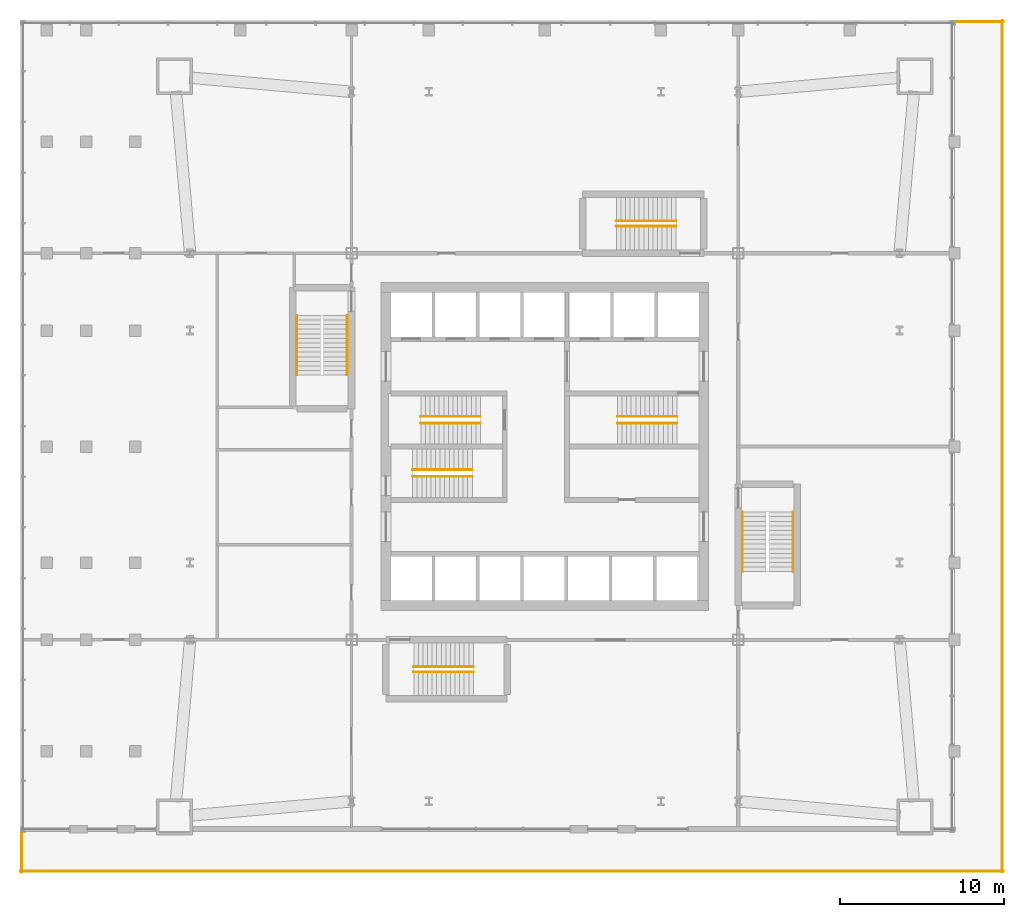
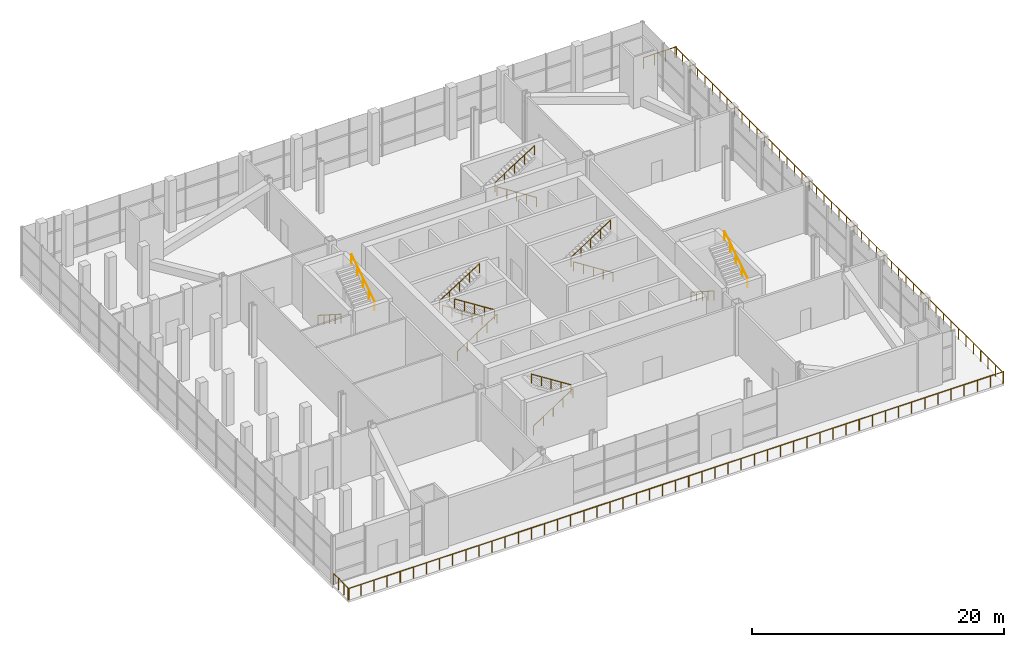
# One storey, part 12 of 12: 18 railings.
"""IFC4 building model written with IfcOpenShell, lengths in metres."""

import ifcopenshell
import ifcopenshell.guid

model = None  # the IFC model being written
_history = None  # IfcOwnerHistory: only IFC2X3 demands one
_inside = {}  # id of a spatial element -> (the spatial element, [elements in it])
_under = {}  # id of a project, library or spatial element -> (it, [spatial elements below it])
_declared = {}  # id of a project -> (the project, [libraries it declares])
_typed = {}  # id of a type object -> (the type object, [elements of that type])
_made_of = {}  # id of a material, layer set ... -> (it, [elements and type objects made of it])


def new_model(schema):
    """Start an empty IFC model of exactly this schema.

    Asked for "IFC4X3", IfcOpenShell would pick the latest addendum, in which some entities
    have other attributes; the version numbers below select the first issue.
    IFC2X3 requires an IfcOwnerHistory on every rooted entity: one is made here for all.
    """
    global model, _history
    if schema == "IFC4X3":
        model = ifcopenshell.file(schema_version=(4, 3, 0, 0))
    else:
        model = ifcopenshell.file(schema=schema)
    _inside.clear()
    _under.clear()
    _declared.clear()
    _typed.clear()
    _made_of.clear()
    _history = None
    if model.schema == "IFC2X3":
        org = make("IfcOrganization", Name="unknown")
        user = make(
            "IfcPersonAndOrganization",
            ThePerson=make("IfcPerson", FamilyName="unknown"),
            TheOrganization=org,
        )
        app = make(
            "IfcApplication",
            ApplicationDeveloper=org,
            Version="unknown",
            ApplicationFullName="unknown",
            ApplicationIdentifier="unknown",
        )
        _history = make(
            "IfcOwnerHistory",
            OwningUser=user,
            OwningApplication=app,
            ChangeAction="ADDED",
            CreationDate=0,
        )
    return model


def make(cls, **values):
    """One entity of the class cls with the attributes given. An attribute that is None is left unset."""
    return model.create_entity(
        cls, **{name: value for name, value in values.items() if value is not None}
    )


def rooted(cls, **values):
    """An entity with a GlobalId (a new one), such as an element, a storey or a relation."""
    return make(cls, GlobalId=ifcopenshell.guid.new(), OwnerHistory=_history, **values)


def si_unit(unit_type, name, prefix=None):
    """IfcSIUnit, for example si_unit("LENGTHUNIT", "METRE", prefix="MILLI")."""
    return make("IfcSIUnit", UnitType=unit_type, Prefix=prefix, Name=name)


def assignment(units):
    """IfcUnitAssignment: the units of a project."""
    return None if units is None else make("IfcUnitAssignment", Units=units)


def point(xyz):
    """IfcCartesianPoint."""
    return None if xyz is None else make("IfcCartesianPoint", Coordinates=xyz)


def direction(xyz):
    """IfcDirection."""
    return None if xyz is None else make("IfcDirection", DirectionRatios=xyz)


def frame(location, z_axis=None, x_axis=None):
    """IfcAxis2Placement3D, a coordinate frame: its origin and axes. An axis left out is left unset."""
    return make(
        "IfcAxis2Placement3D",
        Location=point(location),
        Axis=direction(z_axis),
        RefDirection=direction(x_axis),
    )


def frame_2d(location, x_axis=None):
    """IfcAxis2Placement2D, a coordinate frame in the plane: its origin and x axis."""
    return make(
        "IfcAxis2Placement2D", Location=point(location), RefDirection=direction(x_axis)
    )


def origin():
    """The frame at (0, 0, 0) with its axes left unset."""
    return frame((0.0, 0.0, 0.0))


def origin_2d():
    """The frame at (0, 0) in the plane with its x axis left unset."""
    return frame_2d((0.0, 0.0))


def place(relative_to, where):
    """IfcLocalPlacement: puts the frame where relative to a parent placement (None: the world)."""
    return make(
        "IfcLocalPlacement", PlacementRelTo=relative_to, RelativePlacement=where
    )


def context(
    kind, dimensions, precision=None, world=None, true_north=None, identifier=None
):
    """IfcGeometricRepresentationContext, for example the 3D "Model" context."""
    return make(
        "IfcGeometricRepresentationContext",
        ContextIdentifier=identifier,
        ContextType=kind,
        CoordinateSpaceDimension=dimensions,
        Precision=precision,
        WorldCoordinateSystem=world,
        TrueNorth=true_north,
    )


def subcontext(parent, identifier, kind, view, scale=None):
    """IfcGeometricRepresentationSubContext, for example "Body" below "Model"."""
    return make(
        "IfcGeometricRepresentationSubContext",
        ContextIdentifier=identifier,
        ContextType=kind,
        ParentContext=parent,
        TargetScale=scale,
        TargetView=view,
    )


def project(units=None, contexts=None):
    """IfcProject with its units and contexts."""
    return rooted(
        "IfcProject",
        Name="project",
        RepresentationContexts=contexts,
        UnitsInContext=assignment(units),
    )


def spatial(cls, under=None, at=None, **own):
    """A site, building, storey or space (cls), placed at a placement, below another one or the project."""
    s = rooted(cls, ObjectPlacement=at, **own)
    if under is not None:
        _under.setdefault(under.id(), (under, []))[1].append(s)
    return s


def profile(cls, at=None, kind="AREA", **sizes):
    """A parametric profile (cls). Its sizes go by their IFC names, for example OverallWidth=200.0."""
    return make(cls, ProfileType=kind, Position=at, **sizes)


def circle(**sizes):
    """IfcCircleProfileDef."""
    return profile("IfcCircleProfileDef", **sizes)


def extrude(swept, where, along, depth):
    """IfcExtrudedAreaSolid: the profile swept, set in the frame where, extruded along a direction by depth."""
    return make(
        "IfcExtrudedAreaSolid",
        SweptArea=swept,
        Position=where,
        ExtrudedDirection=direction(along),
        Depth=depth,
    )


def shape(context_of_items, identifier, shape_type, items):
    """IfcShapeRepresentation: the items that make up one representation, for example the "Body"."""
    return make(
        "IfcShapeRepresentation",
        ContextOfItems=context_of_items,
        RepresentationIdentifier=identifier,
        RepresentationType=shape_type,
        Items=items,
    )


def material(Name=None, Category=None):
    """IfcMaterial."""
    return make("IfcMaterial", Name=Name, Category=Category)


def made_of(thing, what):
    """Note that an element or type object is made of a material, layer set ...; save() writes the relation."""
    if what is not None:
        _made_of.setdefault(what.id(), (what, []))[1].append(thing)
    return thing


def type_object(cls, material=None, **own):
    """A type object (cls), such as IfcWallType, which elements share."""
    return made_of(rooted(cls, **own), material)


def element(
    cls,
    number,
    at=None,
    inside=None,
    cuts=None,
    type_object=None,
    material=None,
    context=None,
    identifier="Body",
    shape_type=None,
    held_by="IfcProductDefinitionShape",
    body=None,
    shapes=None,
    **own,
):
    """One element of the class cls, such as IfcWall. Its Tag is "e" and its number.

    at: its placement. inside: the storey or other place that contains it. cuts: it is an
    opening in that element (IfcRelVoidsElement). A single representation is given by context,
    identifier, shape_type and body (its items); several are given by shapes. held_by: the class
    of the entity that holds the representations. save() writes the other relations.
    """
    e = rooted(cls, Tag="e%d" % number, ObjectPlacement=at, **own)
    if body is not None:
        shapes = [shape(context, identifier, shape_type, body)]
    if shapes is not None:
        e.Representation = make(held_by, Representations=shapes)
    if inside is not None:
        _inside.setdefault(inside.id(), (inside, []))[1].append(e)
    if cuts is not None:
        rooted(
            "IfcRelVoidsElement", RelatingBuildingElement=cuts, RelatedOpeningElement=e
        )
    if type_object is not None:
        _typed.setdefault(type_object.id(), (type_object, []))[1].append(e)
    return made_of(e, material)


def aggregate(whole, parts):
    """IfcRelAggregates: a whole, such as a stair, and the parts it consists of."""
    return rooted("IfcRelAggregates", RelatingObject=whole, RelatedObjects=parts)


def save(model, path):
    """Write the relations noted so far, then the file.

    IfcRelAggregates (storeys below a building ...), IfcRelContainedInSpatialStructure (elements
    in a storey), IfcRelDefinesByType, IfcRelAssociatesMaterial and IfcRelDeclares: one each for
    every whole, place, type object, material and project.
    """
    for whole, parts in _under.values():
        aggregate(whole, parts)
    for where, things in _inside.values():
        rooted(
            "IfcRelContainedInSpatialStructure",
            RelatedElements=things,
            RelatingStructure=where,
        )
    for kind, things in _typed.values():
        rooted("IfcRelDefinesByType", RelatedObjects=things, RelatingType=kind)
    for what, things in _made_of.values():
        rooted("IfcRelAssociatesMaterial", RelatedObjects=things, RelatingMaterial=what)
    for by, libraries in _declared.values():
        rooted("IfcRelDeclares", RelatingContext=by, RelatedDefinitions=libraries)
    model.write(path)


model = new_model("IFC4")

# Units and contexts
model_context = context("Model", 3, precision=1e-05, world=origin(), true_north=direction((0.0, 1.0)))
body_context = subcontext(model_context, "Body", "Model", "MODEL_VIEW")
ifc_project = project(units=[si_unit("LENGTHUNIT", "METRE"), si_unit("AREAUNIT", "SQUARE_METRE"), si_unit("VOLUMEUNIT", "CUBIC_METRE"), si_unit("PLANEANGLEUNIT", "RADIAN"), si_unit("MASSUNIT", "GRAM", prefix="KILO")], contexts=[model_context])

# Site, building, storey
site_placement = place(None, origin())
site = spatial("IfcSite", under=ifc_project, at=site_placement, CompositionType="ELEMENT")
building_placement = place(site_placement, origin())
building = spatial("IfcBuilding", under=site, at=building_placement, Name="Turquesa Mirador Hotel Tower", CompositionType="ELEMENT")
storey_placement = place(building_placement, frame((0.0, 0.0, 11.0)))
storey = spatial("IfcBuildingStorey", under=building, at=storey_placement, Name="L02", CompositionType="ELEMENT", Elevation=11.0)

# Railings
ifc_material_1 = material(Name="Bronze-finish steel and laminated glass", Category="steel")
railing_type_1 = type_object("IfcRailingType", Name="GUARD 1100 BRONZE AND GLASS", PredefinedType="GUARDRAIL", material=ifc_material_1)
railing_1_placement = place(storey_placement, frame((82.919921875, 71.0, 0.0)))
element("IfcRailing", 1, at=railing_1_placement, inside=storey, type_object=railing_type_1, Name="Terrace guard L02", PredefinedType="GUARDRAIL", context=body_context, shape_type="SweptSolid", body=[
    extrude(circle(Radius=0.02392578125, at=origin_2d()), frame((0.0, 0.0, 1.076171875), z_axis=(0.0, -1.0, 0.0), x_axis=(1.0, 0.0, 0.0)), (0.0, 0.0, 1.0), 52.0),
    extrude(circle(Radius=0.02099609375, at=origin_2d()), origin(), (0.0, 0.0, 1.0), 1.052001953125),
    extrude(circle(Radius=0.02099609375, at=origin_2d()), frame((0.0, -1.181884765625, 0.0)), (0.0, 0.0, 1.0), 1.052001953125),
    extrude(circle(Radius=0.02099609375, at=origin_2d()), frame((0.0, -2.363525390625, 0.0)), (0.0, 0.0, 1.0), 1.052001953125),
    extrude(circle(Radius=0.02099609375, at=origin_2d()), frame((0.0, -3.54541015625, 0.0)), (0.0, 0.0, 1.0), 1.052001953125),
    extrude(circle(Radius=0.02099609375, at=origin_2d()), frame((0.0, -4.727294921875, 0.0)), (0.0, 0.0, 1.0), 1.052001953125),
    extrude(circle(Radius=0.02099609375, at=origin_2d()), frame((0.0, -5.9091796875, 0.0)), (0.0, 0.0, 1.0), 1.052001953125),
    extrude(circle(Radius=0.02099609375, at=origin_2d()), frame((0.0, -7.0908203125, 0.0)), (0.0, 0.0, 1.0), 1.052001953125),
    extrude(circle(Radius=0.02099609375, at=origin_2d()), frame((0.0, -8.272705078125, 0.0)), (0.0, 0.0, 1.0), 1.052001953125),
    extrude(circle(Radius=0.02099609375, at=origin_2d()), frame((0.0, -9.45458984375, 0.0)), (0.0, 0.0, 1.0), 1.052001953125),
    extrude(circle(Radius=0.02099609375, at=origin_2d()), frame((0.0, -10.636474609375, 0.0)), (0.0, 0.0, 1.0), 1.052001953125),
    extrude(circle(Radius=0.02099609375, at=origin_2d()), frame((0.0, -11.818115234375, 0.0)), (0.0, 0.0, 1.0), 1.052001953125),
    extrude(circle(Radius=0.02099609375, at=origin_2d()), frame((0.0, -13.0, 0.0)), (0.0, 0.0, 1.0), 1.052001953125),
    extrude(circle(Radius=0.02099609375, at=origin_2d()), frame((0.0, -14.181884765625, 0.0)), (0.0, 0.0, 1.0), 1.052001953125),
    extrude(circle(Radius=0.02099609375, at=origin_2d()), frame((0.0, -15.363525390625, 0.0)), (0.0, 0.0, 1.0), 1.052001953125),
    extrude(circle(Radius=0.02099609375, at=origin_2d()), frame((0.0, -16.54541015625, 0.0)), (0.0, 0.0, 1.0), 1.052001953125),
    extrude(circle(Radius=0.02099609375, at=origin_2d()), frame((0.0, -17.727294921875, 0.0)), (0.0, 0.0, 1.0), 1.052001953125),
    extrude(circle(Radius=0.02099609375, at=origin_2d()), frame((0.0, -18.9091796875, 0.0)), (0.0, 0.0, 1.0), 1.052001953125),
    extrude(circle(Radius=0.02099609375, at=origin_2d()), frame((0.0, -20.0908203125, 0.0)), (0.0, 0.0, 1.0), 1.052001953125),
    extrude(circle(Radius=0.02099609375, at=origin_2d()), frame((0.0, -21.272705078125, 0.0)), (0.0, 0.0, 1.0), 1.052001953125),
    extrude(circle(Radius=0.02099609375, at=origin_2d()), frame((0.0, -22.45458984375, 0.0)), (0.0, 0.0, 1.0), 1.052001953125),
    extrude(circle(Radius=0.02099609375, at=origin_2d()), frame((0.0, -23.636474609375, 0.0)), (0.0, 0.0, 1.0), 1.052001953125),
    extrude(circle(Radius=0.02099609375, at=origin_2d()), frame((0.0, -24.818115234375, 0.0)), (0.0, 0.0, 1.0), 1.052001953125),
    extrude(circle(Radius=0.02099609375, at=origin_2d()), frame((0.0, -26.0, 0.0)), (0.0, 0.0, 1.0), 1.052001953125),
    extrude(circle(Radius=0.02099609375, at=origin_2d()), frame((0.0, -27.181884765625, 0.0)), (0.0, 0.0, 1.0), 1.052001953125),
    extrude(circle(Radius=0.02099609375, at=origin_2d()), frame((0.0, -28.363525390625, 0.0)), (0.0, 0.0, 1.0), 1.052001953125),
    extrude(circle(Radius=0.02099609375, at=origin_2d()), frame((0.0, -29.54541015625, 0.0)), (0.0, 0.0, 1.0), 1.052001953125),
    extrude(circle(Radius=0.02099609375, at=origin_2d()), frame((0.0, -30.727294921875, 0.0)), (0.0, 0.0, 1.0), 1.052001953125),
    extrude(circle(Radius=0.02099609375, at=origin_2d()), frame((0.0, -31.9091796875, 0.0)), (0.0, 0.0, 1.0), 1.052001953125),
    extrude(circle(Radius=0.02099609375, at=origin_2d()), frame((0.0, -33.0908203125, 0.0)), (0.0, 0.0, 1.0), 1.052001953125),
    extrude(circle(Radius=0.02099609375, at=origin_2d()), frame((0.0, -34.272705078125, 0.0)), (0.0, 0.0, 1.0), 1.052001953125),
    extrude(circle(Radius=0.02099609375, at=origin_2d()), frame((0.0, -35.45458984375, 0.0)), (0.0, 0.0, 1.0), 1.052001953125),
    extrude(circle(Radius=0.02099609375, at=origin_2d()), frame((0.0, -36.636474609375, 0.0)), (0.0, 0.0, 1.0), 1.052001953125),
    extrude(circle(Radius=0.02099609375, at=origin_2d()), frame((0.0, -37.818115234375, 0.0)), (0.0, 0.0, 1.0), 1.052001953125),
    extrude(circle(Radius=0.02099609375, at=origin_2d()), frame((0.0, -39.0, 0.0)), (0.0, 0.0, 1.0), 1.052001953125),
    extrude(circle(Radius=0.02099609375, at=origin_2d()), frame((0.0, -40.181884765625, 0.0)), (0.0, 0.0, 1.0), 1.052001953125),
    extrude(circle(Radius=0.02099609375, at=origin_2d()), frame((0.0, -41.363525390625, 0.0)), (0.0, 0.0, 1.0), 1.052001953125),
    extrude(circle(Radius=0.02099609375, at=origin_2d()), frame((0.0, -42.54541015625, 0.0)), (0.0, 0.0, 1.0), 1.052001953125),
    extrude(circle(Radius=0.02099609375, at=origin_2d()), frame((0.0, -43.727294921875, 0.0)), (0.0, 0.0, 1.0), 1.052001953125),
    extrude(circle(Radius=0.02099609375, at=origin_2d()), frame((0.0, -44.9091796875, 0.0)), (0.0, 0.0, 1.0), 1.052001953125),
    extrude(circle(Radius=0.02099609375, at=origin_2d()), frame((0.0, -46.0908203125, 0.0)), (0.0, 0.0, 1.0), 1.052001953125),
    extrude(circle(Radius=0.02099609375, at=origin_2d()), frame((0.0, -47.272705078125, 0.0)), (0.0, 0.0, 1.0), 1.052001953125),
    extrude(circle(Radius=0.02099609375, at=origin_2d()), frame((0.0, -48.45458984375, 0.0)), (0.0, 0.0, 1.0), 1.052001953125),
    extrude(circle(Radius=0.02099609375, at=origin_2d()), frame((0.0, -49.636474609375, 0.0)), (0.0, 0.0, 1.0), 1.052001953125),
    extrude(circle(Radius=0.02099609375, at=origin_2d()), frame((0.0, -50.818115234375, 0.0)), (0.0, 0.0, 1.0), 1.052001953125),
    extrude(circle(Radius=0.02099609375, at=origin_2d()), frame((0.0, -52.0, 0.0)), (0.0, 0.0, 1.0), 1.052001953125),
])
railing_2_placement = place(storey_placement, frame((83.0, 19.080078125, 0.0)))
element("IfcRailing", 2, at=railing_2_placement, inside=storey, type_object=railing_type_1, Name="Terrace guard L02", PredefinedType="GUARDRAIL", context=body_context, shape_type="SweptSolid", body=[
    extrude(circle(Radius=0.02392578125, at=origin_2d()), frame((0.0, 0.0, 1.076171875), z_axis=(-1.0, 0.0, 0.0), x_axis=(0.0, -1.0, 0.0)), (0.0, 0.0, 1.0), 60.0),
    extrude(circle(Radius=0.02099609375, at=origin_2d()), origin(), (0.0, 0.0, 1.0), 1.052001953125),
    extrude(circle(Radius=0.02099609375, at=origin_2d()), frame((-1.199951171875, 0.0, 0.0)), (0.0, 0.0, 1.0), 1.052001953125),
    extrude(circle(Radius=0.02099609375, at=origin_2d()), frame((-2.39990234375, 0.0, 0.0)), (0.0, 0.0, 1.0), 1.052001953125),
    extrude(circle(Radius=0.02099609375, at=origin_2d()), frame((-3.60009765625, 0.0, 0.0)), (0.0, 0.0, 1.0), 1.052001953125),
    extrude(circle(Radius=0.02099609375, at=origin_2d()), frame((-4.800048828125, 0.0, 0.0)), (0.0, 0.0, 1.0), 1.052001953125),
    extrude(circle(Radius=0.02099609375, at=origin_2d()), frame((-6.0, 0.0, 0.0)), (0.0, 0.0, 1.0), 1.052001953125),
    extrude(circle(Radius=0.02099609375, at=origin_2d()), frame((-7.199951171875, 0.0, 0.0)), (0.0, 0.0, 1.0), 1.052001953125),
    extrude(circle(Radius=0.02099609375, at=origin_2d()), frame((-8.39990234375, 0.0, 0.0)), (0.0, 0.0, 1.0), 1.052001953125),
    extrude(circle(Radius=0.02099609375, at=origin_2d()), frame((-9.60009765625, 0.0, 0.0)), (0.0, 0.0, 1.0), 1.052001953125),
    extrude(circle(Radius=0.02099609375, at=origin_2d()), frame((-10.800048828125, 0.0, 0.0)), (0.0, 0.0, 1.0), 1.052001953125),
    extrude(circle(Radius=0.02099609375, at=origin_2d()), frame((-12.0, 0.0, 0.0)), (0.0, 0.0, 1.0), 1.052001953125),
    extrude(circle(Radius=0.02099609375, at=origin_2d()), frame((-13.199951171875, 0.0, 0.0)), (0.0, 0.0, 1.0), 1.052001953125),
    extrude(circle(Radius=0.02099609375, at=origin_2d()), frame((-14.39990234375, 0.0, 0.0)), (0.0, 0.0, 1.0), 1.052001953125),
    extrude(circle(Radius=0.02099609375, at=origin_2d()), frame((-15.60009765625, 0.0, 0.0)), (0.0, 0.0, 1.0), 1.052001953125),
    extrude(circle(Radius=0.02099609375, at=origin_2d()), frame((-16.800048828125, 0.0, 0.0)), (0.0, 0.0, 1.0), 1.052001953125),
    extrude(circle(Radius=0.02099609375, at=origin_2d()), frame((-18.0, 0.0, 0.0)), (0.0, 0.0, 1.0), 1.052001953125),
    extrude(circle(Radius=0.02099609375, at=origin_2d()), frame((-19.199951171875, 0.0, 0.0)), (0.0, 0.0, 1.0), 1.052001953125),
    extrude(circle(Radius=0.02099609375, at=origin_2d()), frame((-20.39990234375, 0.0, 0.0)), (0.0, 0.0, 1.0), 1.052001953125),
    extrude(circle(Radius=0.02099609375, at=origin_2d()), frame((-21.60009765625, 0.0, 0.0)), (0.0, 0.0, 1.0), 1.052001953125),
    extrude(circle(Radius=0.02099609375, at=origin_2d()), frame((-22.800048828125, 0.0, 0.0)), (0.0, 0.0, 1.0), 1.052001953125),
    extrude(circle(Radius=0.02099609375, at=origin_2d()), frame((-24.0, 0.0, 0.0)), (0.0, 0.0, 1.0), 1.052001953125),
    extrude(circle(Radius=0.02099609375, at=origin_2d()), frame((-25.199951171875, 0.0, 0.0)), (0.0, 0.0, 1.0), 1.052001953125),
    extrude(circle(Radius=0.02099609375, at=origin_2d()), frame((-26.39990234375, 0.0, 0.0)), (0.0, 0.0, 1.0), 1.052001953125),
    extrude(circle(Radius=0.02099609375, at=origin_2d()), frame((-27.60009765625, 0.0, 0.0)), (0.0, 0.0, 1.0), 1.052001953125),
    extrude(circle(Radius=0.02099609375, at=origin_2d()), frame((-28.800048828125, 0.0, 0.0)), (0.0, 0.0, 1.0), 1.052001953125),
    extrude(circle(Radius=0.02099609375, at=origin_2d()), frame((-30.0, 0.0, 0.0)), (0.0, 0.0, 1.0), 1.052001953125),
    extrude(circle(Radius=0.02099609375, at=origin_2d()), frame((-31.199951171875, 0.0, 0.0)), (0.0, 0.0, 1.0), 1.052001953125),
    extrude(circle(Radius=0.02099609375, at=origin_2d()), frame((-32.39990234375, 0.0, 0.0)), (0.0, 0.0, 1.0), 1.052001953125),
    extrude(circle(Radius=0.02099609375, at=origin_2d()), frame((-33.60009765625, 0.0, 0.0)), (0.0, 0.0, 1.0), 1.052001953125),
    extrude(circle(Radius=0.02099609375, at=origin_2d()), frame((-34.800048828125, 0.0, 0.0)), (0.0, 0.0, 1.0), 1.052001953125),
    extrude(circle(Radius=0.02099609375, at=origin_2d()), frame((-36.0, 0.0, 0.0)), (0.0, 0.0, 1.0), 1.052001953125),
    extrude(circle(Radius=0.02099609375, at=origin_2d()), frame((-37.199951171875, 0.0, 0.0)), (0.0, 0.0, 1.0), 1.052001953125),
    extrude(circle(Radius=0.02099609375, at=origin_2d()), frame((-38.39990234375, 0.0, 0.0)), (0.0, 0.0, 1.0), 1.052001953125),
    extrude(circle(Radius=0.02099609375, at=origin_2d()), frame((-39.60009765625, 0.0, 0.0)), (0.0, 0.0, 1.0), 1.052001953125),
    extrude(circle(Radius=0.02099609375, at=origin_2d()), frame((-40.800048828125, 0.0, 0.0)), (0.0, 0.0, 1.0), 1.052001953125),
    extrude(circle(Radius=0.02099609375, at=origin_2d()), frame((-42.0, 0.0, 0.0)), (0.0, 0.0, 1.0), 1.052001953125),
    extrude(circle(Radius=0.02099609375, at=origin_2d()), frame((-43.199951171875, 0.0, 0.0)), (0.0, 0.0, 1.0), 1.052001953125),
    extrude(circle(Radius=0.02099609375, at=origin_2d()), frame((-44.39990234375, 0.0, 0.0)), (0.0, 0.0, 1.0), 1.052001953125),
    extrude(circle(Radius=0.02099609375, at=origin_2d()), frame((-45.60009765625, 0.0, 0.0)), (0.0, 0.0, 1.0), 1.052001953125),
    extrude(circle(Radius=0.02099609375, at=origin_2d()), frame((-46.800048828125, 0.0, 0.0)), (0.0, 0.0, 1.0), 1.052001953125),
    extrude(circle(Radius=0.02099609375, at=origin_2d()), frame((-48.0, 0.0, 0.0)), (0.0, 0.0, 1.0), 1.052001953125),
    extrude(circle(Radius=0.02099609375, at=origin_2d()), frame((-49.199951171875, 0.0, 0.0)), (0.0, 0.0, 1.0), 1.052001953125),
    extrude(circle(Radius=0.02099609375, at=origin_2d()), frame((-50.39990234375, 0.0, 0.0)), (0.0, 0.0, 1.0), 1.052001953125),
    extrude(circle(Radius=0.02099609375, at=origin_2d()), frame((-51.60009765625, 0.0, 0.0)), (0.0, 0.0, 1.0), 1.052001953125),
    extrude(circle(Radius=0.02099609375, at=origin_2d()), frame((-52.800048828125, 0.0, 0.0)), (0.0, 0.0, 1.0), 1.052001953125),
    extrude(circle(Radius=0.02099609375, at=origin_2d()), frame((-54.0, 0.0, 0.0)), (0.0, 0.0, 1.0), 1.052001953125),
    extrude(circle(Radius=0.02099609375, at=origin_2d()), frame((-55.199951171875, 0.0, 0.0)), (0.0, 0.0, 1.0), 1.052001953125),
    extrude(circle(Radius=0.02099609375, at=origin_2d()), frame((-56.39990234375, 0.0, 0.0)), (0.0, 0.0, 1.0), 1.052001953125),
    extrude(circle(Radius=0.02099609375, at=origin_2d()), frame((-57.60009765625, 0.0, 0.0)), (0.0, 0.0, 1.0), 1.052001953125),
    extrude(circle(Radius=0.02099609375, at=origin_2d()), frame((-58.800048828125, 0.0, 0.0)), (0.0, 0.0, 1.0), 1.052001953125),
    extrude(circle(Radius=0.02099609375, at=origin_2d()), frame((-60.0, 0.0, 0.0)), (0.0, 0.0, 1.0), 1.052001953125),
])
railing_3_placement = place(storey_placement, frame((23.080078125, 19.0, 0.0)))
element("IfcRailing", 3, at=railing_3_placement, inside=storey, type_object=railing_type_1, Name="Terrace guard L02", PredefinedType="GUARDRAIL", context=body_context, shape_type="SweptSolid", body=[
    extrude(circle(Radius=0.02392578125, at=origin_2d()), frame((0.0, 0.0, 1.076171875), z_axis=(0.0, 1.0, 0.0), x_axis=(-1.0, 0.0, 0.0)), (0.0, 0.0, 1.0), 2.5),
    extrude(circle(Radius=0.02099609375, at=origin_2d()), origin(), (0.0, 0.0, 1.0), 1.052001953125),
    extrude(circle(Radius=0.02099609375, at=origin_2d()), frame((0.0, 0.833251953125, 0.0)), (0.0, 0.0, 1.0), 1.052001953125),
    extrude(circle(Radius=0.02099609375, at=origin_2d()), frame((0.0, 1.666748046875, 0.0)), (0.0, 0.0, 1.0), 1.052001953125),
    extrude(circle(Radius=0.02099609375, at=origin_2d()), frame((0.0, 2.5, 0.0)), (0.0, 0.0, 1.0), 1.052001953125),
])
railing_4_placement = place(storey_placement, frame((80.0, 70.919921875, 0.0)))
element("IfcRailing", 4, at=railing_4_placement, inside=storey, type_object=railing_type_1, Name="Terrace guard L02", PredefinedType="GUARDRAIL", context=body_context, shape_type="SweptSolid", body=[
    extrude(circle(Radius=0.02392578125, at=origin_2d()), frame((0.0, 0.0, 1.076171875), z_axis=(1.0, 0.0, 0.0), x_axis=(0.0, 1.0, 0.0)), (0.0, 0.0, 1.0), 3.0),
    extrude(circle(Radius=0.02099609375, at=origin_2d()), origin(), (0.0, 0.0, 1.0), 1.052001953125),
    extrude(circle(Radius=0.02099609375, at=origin_2d()), frame((1.0, 0.0, 0.0)), (0.0, 0.0, 1.0), 1.052001953125),
    extrude(circle(Radius=0.02099609375, at=origin_2d()), frame((2.0, 0.0, 0.0)), (0.0, 0.0, 1.0), 1.052001953125),
    extrude(circle(Radius=0.02099609375, at=origin_2d()), frame((3.0, 0.0, 0.0)), (0.0, 0.0, 1.0), 1.052001953125),
])
ifc_material_2 = material(Name="Painted steel handrail", Category="steel")
railing_type_2 = type_object("IfcRailingType", Name="HANDRAIL 900 STEEL", PredefinedType="HANDRAIL", material=ifc_material_2)
railing_5_placement = place(storey_placement, frame((51.070068359375, 46.419921875, 0.178466796875)))
element("IfcRailing", 5, at=railing_5_placement, inside=storey, type_object=railing_type_2, Name="Handrail ST1", PredefinedType="HANDRAIL", context=body_context, shape_type="SweptSolid", body=[
    extrude(circle(Radius=0.02392578125, at=origin_2d()), frame((0.0, 0.0, 0.8759765625), z_axis=(-0.843127859045, 0.0, 0.537713132908), x_axis=(0.0, -1.0, 0.0)), (0.0, 0.0, 1.0), 4.3173828125),
    extrude(circle(Radius=0.02099609375, at=origin_2d()), origin(), (0.0, 0.0, 1.0), 0.851806640625),
    extrude(circle(Radius=0.02099609375, at=origin_2d()), frame((-0.91015625, 0.0, 0.580322265625)), (0.0, 0.0, 1.0), 0.851806640625),
    extrude(circle(Radius=0.02099609375, at=origin_2d()), frame((-1.820068359375, 0.0, 1.16064453125)), (0.0, 0.0, 1.0), 0.851806640625),
    extrude(circle(Radius=0.02099609375, at=origin_2d()), frame((-2.72998046875, 0.0, 1.7412109375)), (0.0, 0.0, 1.0), 0.851806640625),
    extrude(circle(Radius=0.02099609375, at=origin_2d()), frame((-3.64013671875, 0.0, 2.321533203125)), (0.0, 0.0, 1.0), 0.851806640625),
])
for number, where, name in (
    (6, (47.429931640625, 46.830078125, 2.678466796875), "Handrail ST1"),
    (7, (46.929931640625, 43.169921875, 0.178466796875), "Handrail ST2"),
):
    element("IfcRailing", number, at=place(storey_placement, frame(where)), inside=storey, type_object=railing_type_2, Name=name, PredefinedType="HANDRAIL", context=body_context, shape_type="SweptSolid", body=[
        extrude(circle(Radius=0.02392578125, at=origin_2d()), frame((0.0, 0.0, 0.8759765625), z_axis=(0.843127859045, 0.0, 0.537713132908), x_axis=(0.0, 1.0, 0.0)), (0.0, 0.0, 1.0), 4.3173828125),
        extrude(circle(Radius=0.02099609375, at=origin_2d()), origin(), (0.0, 0.0, 1.0), 0.851806640625),
        extrude(circle(Radius=0.02099609375, at=origin_2d()), frame((0.91015625, 0.0, 0.580322265625)), (0.0, 0.0, 1.0), 0.851806640625),
        extrude(circle(Radius=0.02099609375, at=origin_2d()), frame((1.820068359375, 0.0, 1.16064453125)), (0.0, 0.0, 1.0), 0.851806640625),
        extrude(circle(Radius=0.02099609375, at=origin_2d()), frame((2.72998046875, 0.0, 1.7412109375)), (0.0, 0.0, 1.0), 0.851806640625),
        extrude(circle(Radius=0.02099609375, at=origin_2d()), frame((3.64013671875, 0.0, 2.321533203125)), (0.0, 0.0, 1.0), 0.851806640625),
    ])
for number, where, name in (
    (8, (50.570068359375, 43.580078125, 2.678466796875), "Handrail ST2"),
    (9, (63.070068359375, 46.419921875, 0.178466796875), "Handrail ST3"),
):
    element("IfcRailing", number, at=place(storey_placement, frame(where)), inside=storey, type_object=railing_type_2, Name=name, PredefinedType="HANDRAIL", context=body_context, shape_type="SweptSolid", body=[
        extrude(circle(Radius=0.02392578125, at=origin_2d()), frame((0.0, 0.0, 0.8759765625), z_axis=(-0.843127859045, 0.0, 0.537713132908), x_axis=(0.0, -1.0, 0.0)), (0.0, 0.0, 1.0), 4.3173828125),
        extrude(circle(Radius=0.02099609375, at=origin_2d()), origin(), (0.0, 0.0, 1.0), 0.851806640625),
        extrude(circle(Radius=0.02099609375, at=origin_2d()), frame((-0.91015625, 0.0, 0.580322265625)), (0.0, 0.0, 1.0), 0.851806640625),
        extrude(circle(Radius=0.02099609375, at=origin_2d()), frame((-1.820068359375, 0.0, 1.16064453125)), (0.0, 0.0, 1.0), 0.851806640625),
        extrude(circle(Radius=0.02099609375, at=origin_2d()), frame((-2.72998046875, 0.0, 1.7412109375)), (0.0, 0.0, 1.0), 0.851806640625),
        extrude(circle(Radius=0.02099609375, at=origin_2d()), frame((-3.64013671875, 0.0, 2.321533203125)), (0.0, 0.0, 1.0), 0.851806640625),
    ])
railing_6_placement = place(storey_placement, frame((59.429931640625, 46.830078125, 2.678466796875)))
element("IfcRailing", 10, at=railing_6_placement, inside=storey, type_object=railing_type_2, Name="Handrail ST3", PredefinedType="HANDRAIL", context=body_context, shape_type="SweptSolid", body=[
    extrude(circle(Radius=0.02392578125, at=origin_2d()), frame((0.0, 0.0, 0.8759765625), z_axis=(0.843127859045, 0.0, 0.537713132908), x_axis=(0.0, 1.0, 0.0)), (0.0, 0.0, 1.0), 4.3173828125),
    extrude(circle(Radius=0.02099609375, at=origin_2d()), origin(), (0.0, 0.0, 1.0), 0.851806640625),
    extrude(circle(Radius=0.02099609375, at=origin_2d()), frame((0.91015625, 0.0, 0.580322265625)), (0.0, 0.0, 1.0), 0.851806640625),
    extrude(circle(Radius=0.02099609375, at=origin_2d()), frame((1.820068359375, 0.0, 1.16064453125)), (0.0, 0.0, 1.0), 0.851806640625),
    extrude(circle(Radius=0.02099609375, at=origin_2d()), frame((2.72998046875, 0.0, 1.7412109375)), (0.0, 0.0, 1.0), 0.851806640625),
    extrude(circle(Radius=0.02099609375, at=origin_2d()), frame((3.64013671875, 0.0, 2.321533203125)), (0.0, 0.0, 1.0), 0.851806640625),
])
railing_7_placement = place(storey_placement, frame((63.0, 58.43994140625, 0.178466796875)))
element("IfcRailing", 11, at=railing_7_placement, inside=storey, type_object=railing_type_2, Name="Handrail PS1", PredefinedType="HANDRAIL", context=body_context, shape_type="SweptSolid", body=[
    extrude(circle(Radius=0.02392578125, at=origin_2d()), frame((0.0, 0.0, 0.8759765625), z_axis=(-0.843111507901, 0.0, 0.53773877045), x_axis=(0.0, -1.0, 0.0)), (0.0, 0.0, 1.0), 4.317138671875),
    extrude(circle(Radius=0.02099609375, at=origin_2d()), origin(), (0.0, 0.0, 1.0), 0.851806640625),
    extrude(circle(Radius=0.02099609375, at=origin_2d()), frame((-0.909912109375, 0.0, 0.580322265625)), (0.0, 0.0, 1.0), 0.851806640625),
    extrude(circle(Radius=0.02099609375, at=origin_2d()), frame((-1.81982421875, 0.0, 1.16064453125)), (0.0, 0.0, 1.0), 0.851806640625),
    extrude(circle(Radius=0.02099609375, at=origin_2d()), frame((-2.72998046875, 0.0, 1.7412109375)), (0.0, 0.0, 1.0), 0.851806640625),
    extrude(circle(Radius=0.02099609375, at=origin_2d()), frame((-3.639892578125, 0.0, 2.321533203125)), (0.0, 0.0, 1.0), 0.851806640625),
])
for number, where, name in (
    (12, (59.360107421875, 58.760009765625, 2.678466796875), "Handrail PS1"),
    (13, (47.0, 31.239990234375, 0.178466796875), "Handrail PS2"),
):
    element("IfcRailing", number, at=place(storey_placement, frame(where)), inside=storey, type_object=railing_type_2, Name=name, PredefinedType="HANDRAIL", context=body_context, shape_type="SweptSolid", body=[
        extrude(circle(Radius=0.02392578125, at=origin_2d()), frame((0.0, 0.0, 0.8759765625), z_axis=(0.843111507901, 0.0, 0.53773877045), x_axis=(0.0, 1.0, 0.0)), (0.0, 0.0, 1.0), 4.317138671875),
        extrude(circle(Radius=0.02099609375, at=origin_2d()), origin(), (0.0, 0.0, 1.0), 0.851806640625),
        extrude(circle(Radius=0.02099609375, at=origin_2d()), frame((0.909912109375, 0.0, 0.580322265625)), (0.0, 0.0, 1.0), 0.851806640625),
        extrude(circle(Radius=0.02099609375, at=origin_2d()), frame((1.81982421875, 0.0, 1.16064453125)), (0.0, 0.0, 1.0), 0.851806640625),
        extrude(circle(Radius=0.02099609375, at=origin_2d()), frame((2.72998046875, 0.0, 1.7412109375)), (0.0, 0.0, 1.0), 0.851806640625),
        extrude(circle(Radius=0.02099609375, at=origin_2d()), frame((3.639892578125, 0.0, 2.321533203125)), (0.0, 0.0, 1.0), 0.851806640625),
    ])
railing_8_placement = place(storey_placement, frame((50.639892578125, 31.56005859375, 2.678466796875)))
element("IfcRailing", 14, at=railing_8_placement, inside=storey, type_object=railing_type_2, Name="Handrail PS2", PredefinedType="HANDRAIL", context=body_context, shape_type="SweptSolid", body=[
    extrude(circle(Radius=0.02392578125, at=origin_2d()), frame((0.0, 0.0, 0.8759765625), z_axis=(-0.843111507901, 0.0, 0.53773877045), x_axis=(0.0, -1.0, 0.0)), (0.0, 0.0, 1.0), 4.317138671875),
    extrude(circle(Radius=0.02099609375, at=origin_2d()), origin(), (0.0, 0.0, 1.0), 0.851806640625),
    extrude(circle(Radius=0.02099609375, at=origin_2d()), frame((-0.909912109375, 0.0, 0.580322265625)), (0.0, 0.0, 1.0), 0.851806640625),
    extrude(circle(Radius=0.02099609375, at=origin_2d()), frame((-1.81982421875, 0.0, 1.16064453125)), (0.0, 0.0, 1.0), 0.851806640625),
    extrude(circle(Radius=0.02099609375, at=origin_2d()), frame((-2.72998046875, 0.0, 1.7412109375)), (0.0, 0.0, 1.0), 0.851806640625),
    extrude(circle(Radius=0.02099609375, at=origin_2d()), frame((-3.639892578125, 0.0, 2.321533203125)), (0.0, 0.0, 1.0), 0.851806640625),
])
railing_9_placement = place(storey_placement, frame((67.06005859375, 41.0, 0.178466796875)))
element("IfcRailing", 15, at=railing_9_placement, inside=storey, type_object=railing_type_2, Name="Handrail PS3", PredefinedType="HANDRAIL", context=body_context, shape_type="SweptSolid", body=[
    extrude(circle(Radius=0.02392578125, at=origin_2d()), frame((0.0, 0.0, 0.8759765625), z_axis=(0.0, -0.843111507901, 0.53773877045), x_axis=(1.0, 0.0, 0.0)), (0.0, 0.0, 1.0), 4.317138671875),
    extrude(circle(Radius=0.02099609375, at=origin_2d()), origin(), (0.0, 0.0, 1.0), 0.851806640625),
    extrude(circle(Radius=0.02099609375, at=origin_2d()), frame((0.0, -0.909912109375, 0.580322265625)), (0.0, 0.0, 1.0), 0.851806640625),
    extrude(circle(Radius=0.02099609375, at=origin_2d()), frame((0.0, -1.81982421875, 1.16064453125)), (0.0, 0.0, 1.0), 0.851806640625),
    extrude(circle(Radius=0.02099609375, at=origin_2d()), frame((0.0, -2.72998046875, 1.7412109375)), (0.0, 0.0, 1.0), 0.851806640625),
    extrude(circle(Radius=0.02099609375, at=origin_2d()), frame((0.0, -3.639892578125, 2.321533203125)), (0.0, 0.0, 1.0), 0.851806640625),
])
railing_10_placement = place(storey_placement, frame((70.139892578125, 37.360107421875, 2.678466796875)))
element("IfcRailing", 16, at=railing_10_placement, inside=storey, type_object=railing_type_2, Name="Handrail PS3", PredefinedType="HANDRAIL", context=body_context, shape_type="SweptSolid", body=[
    extrude(circle(Radius=0.02392578125, at=origin_2d()), frame((0.0, 0.0, 0.8759765625), z_axis=(0.0, 0.843111507901, 0.53773877045), x_axis=(-1.0, 0.0, 0.0)), (0.0, 0.0, 1.0), 4.317138671875),
    extrude(circle(Radius=0.02099609375, at=origin_2d()), origin(), (0.0, 0.0, 1.0), 0.851806640625),
    extrude(circle(Radius=0.02099609375, at=origin_2d()), frame((0.0, 0.909912109375, 0.580322265625)), (0.0, 0.0, 1.0), 0.851806640625),
    extrude(circle(Radius=0.02099609375, at=origin_2d()), frame((0.0, 1.81982421875, 1.16064453125)), (0.0, 0.0, 1.0), 0.851806640625),
    extrude(circle(Radius=0.02099609375, at=origin_2d()), frame((0.0, 2.72998046875, 1.7412109375)), (0.0, 0.0, 1.0), 0.851806640625),
    extrude(circle(Radius=0.02099609375, at=origin_2d()), frame((0.0, 3.639892578125, 2.321533203125)), (0.0, 0.0, 1.0), 0.851806640625),
])
railing_11_placement = place(storey_placement, frame((39.860107421875, 53.0, 0.178466796875)))
element("IfcRailing", 17, at=railing_11_placement, inside=storey, type_object=railing_type_2, Name="Handrail PS4", PredefinedType="HANDRAIL", context=body_context, shape_type="SweptSolid", body=[
    extrude(circle(Radius=0.02392578125, at=origin_2d()), frame((0.0, 0.0, 0.8759765625), z_axis=(0.0, -0.843111507901, 0.53773877045), x_axis=(1.0, 0.0, 0.0)), (0.0, 0.0, 1.0), 4.317138671875),
    extrude(circle(Radius=0.02099609375, at=origin_2d()), origin(), (0.0, 0.0, 1.0), 0.851806640625),
    extrude(circle(Radius=0.02099609375, at=origin_2d()), frame((0.0, -0.909912109375, 0.580322265625)), (0.0, 0.0, 1.0), 0.851806640625),
    extrude(circle(Radius=0.02099609375, at=origin_2d()), frame((0.0, -1.81982421875, 1.16064453125)), (0.0, 0.0, 1.0), 0.851806640625),
    extrude(circle(Radius=0.02099609375, at=origin_2d()), frame((0.0, -2.72998046875, 1.7412109375)), (0.0, 0.0, 1.0), 0.851806640625),
    extrude(circle(Radius=0.02099609375, at=origin_2d()), frame((0.0, -3.639892578125, 2.321533203125)), (0.0, 0.0, 1.0), 0.851806640625),
])
railing_12_placement = place(storey_placement, frame((42.93994140625, 49.360107421875, 2.678466796875)))
element("IfcRailing", 18, at=railing_12_placement, inside=storey, type_object=railing_type_2, Name="Handrail PS4", PredefinedType="HANDRAIL", context=body_context, shape_type="SweptSolid", body=[
    extrude(circle(Radius=0.02392578125, at=origin_2d()), frame((0.0, 0.0, 0.8759765625), z_axis=(0.0, 0.843111507901, 0.53773877045), x_axis=(-1.0, 0.0, 0.0)), (0.0, 0.0, 1.0), 4.317138671875),
    extrude(circle(Radius=0.02099609375, at=origin_2d()), origin(), (0.0, 0.0, 1.0), 0.851806640625),
    extrude(circle(Radius=0.02099609375, at=origin_2d()), frame((0.0, 0.909912109375, 0.580322265625)), (0.0, 0.0, 1.0), 0.851806640625),
    extrude(circle(Radius=0.02099609375, at=origin_2d()), frame((0.0, 1.81982421875, 1.16064453125)), (0.0, 0.0, 1.0), 0.851806640625),
    extrude(circle(Radius=0.02099609375, at=origin_2d()), frame((0.0, 2.72998046875, 1.7412109375)), (0.0, 0.0, 1.0), 0.851806640625),
    extrude(circle(Radius=0.02099609375, at=origin_2d()), frame((0.0, 3.639892578125, 2.321533203125)), (0.0, 0.0, 1.0), 0.851806640625),
])

save(model, "model.ifc")
